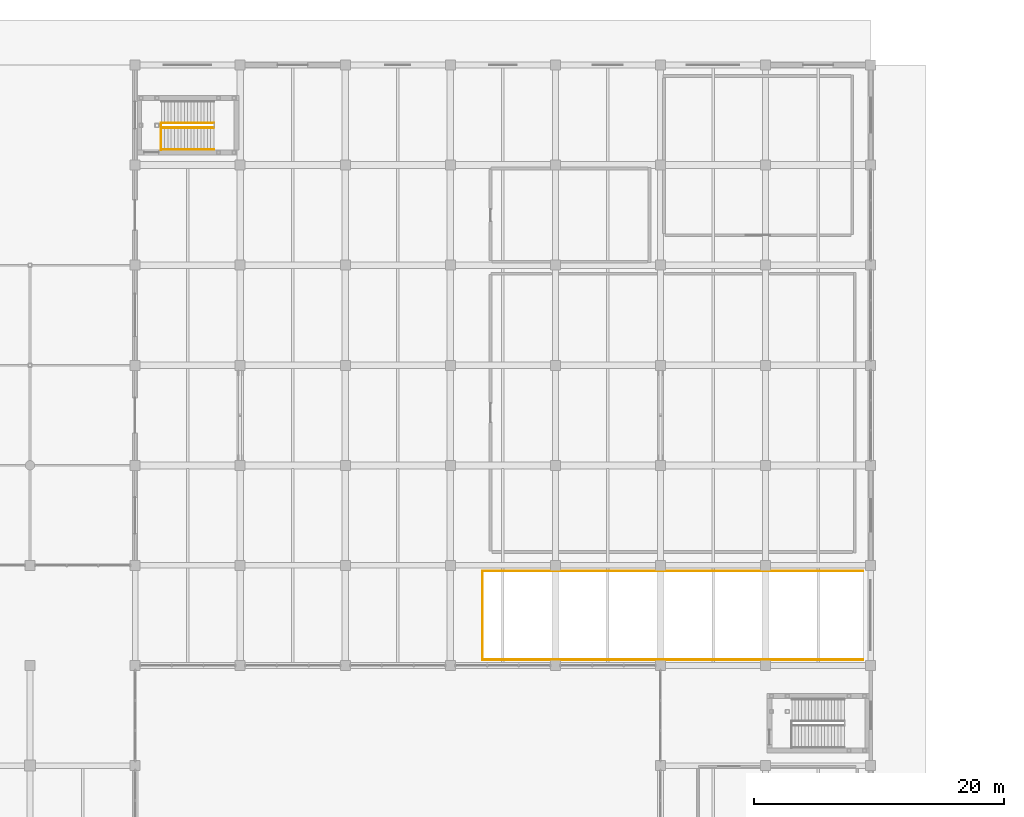
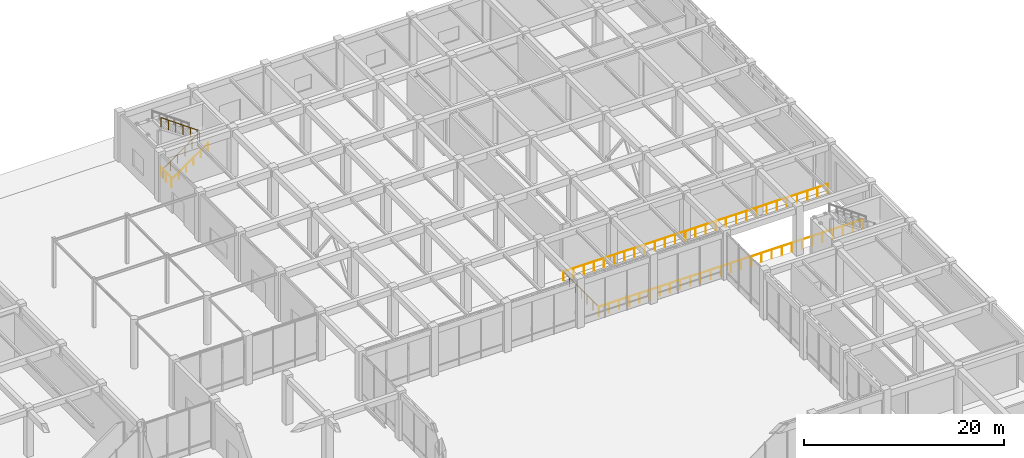
# One storey, part 73 of 76: 7 railings.
"""IFC4 building model written with IfcOpenShell, lengths in metres."""

from ifc_helpers import new_model, si_unit, direction, frame, origin, origin_2d, place, context, subcontext, project, spatial, circle, extrude, material, layer, layer_set, type_object, element, save


model = new_model("IFC4")

# Units and contexts
model_context = context("Model", 3, precision=1e-05, world=origin(), true_north=direction((0.0, 1.0)))
body_context = subcontext(model_context, "Body", "Model", "MODEL_VIEW")
ifc_project = project(units=[si_unit("LENGTHUNIT", "METRE"), si_unit("AREAUNIT", "SQUARE_METRE"), si_unit("VOLUMEUNIT", "CUBIC_METRE"), si_unit("PLANEANGLEUNIT", "RADIAN"), si_unit("MASSUNIT", "GRAM", prefix="KILO")], contexts=[model_context])

# Site, building, storey
site_placement = place(None, origin())
site = spatial("IfcSite", under=ifc_project, at=site_placement, CompositionType="ELEMENT")
building_placement = place(site_placement, origin())
building = spatial("IfcBuilding", under=site, at=building_placement, Name="Naruveol Harbour Congress Hotel", CompositionType="ELEMENT")
storey_placement = place(building_placement, origin())
storey = spatial("IfcBuildingStorey", under=building, at=storey_placement, Name="L00", CompositionType="ELEMENT", Elevation=0.0)

# Railings
ifc_material_1 = material(Name="Steel SN490", Category="steel")
ifc_layer_1 = layer(ifc_material_1, 0.050048828125)
ifc_layer_set_1 = layer_set([ifc_layer_1], Name="Steel SN490")
railing_type_1 = type_object("IfcRailingType", Name="GALVANISED STEEL DECK GUARDRAIL 1150", PredefinedType="GUARDRAIL", material=ifc_layer_set_1)
railing_1_placement = place(storey_placement, frame((125.39990234375, 64.4599609375, 0.0)))
element("IfcRailing", 1, at=railing_1_placement, inside=storey, type_object=railing_type_1, Name="Vehicle ramp opening guard #43", PredefinedType="GUARDRAIL", context=body_context, shape_type="SweptSolid", body=[
    extrude(circle(Radius=0.02392578125, at=origin_2d()), frame((0.0, 0.0, 1.1259765625), z_axis=(-1.0, 0.0, 0.0), x_axis=(0.0, -1.0, 0.0)), (0.0, 0.0, 1.0), 30.43994140625),
    extrude(circle(Radius=0.02099609375, at=origin_2d()), origin(), (0.0, 0.0, 1.0), 1.101806640625),
    extrude(circle(Radius=0.02099609375, at=origin_2d()), frame((-1.170654296875, 0.0, 0.0)), (0.0, 0.0, 1.0), 1.101806640625),
    extrude(circle(Radius=0.02099609375, at=origin_2d()), frame((-2.341552734375, 0.0, 0.0)), (0.0, 0.0, 1.0), 1.101806640625),
    extrude(circle(Radius=0.02099609375, at=origin_2d()), frame((-3.51220703125, 0.0, 0.0)), (0.0, 0.0, 1.0), 1.101806640625),
    extrude(circle(Radius=0.02099609375, at=origin_2d()), frame((-4.68310546875, 0.0, 0.0)), (0.0, 0.0, 1.0), 1.101806640625),
    extrude(circle(Radius=0.02099609375, at=origin_2d()), frame((-5.853759765625, 0.0, 0.0)), (0.0, 0.0, 1.0), 1.101806640625),
    extrude(circle(Radius=0.02099609375, at=origin_2d()), frame((-7.024658203125, 0.0, 0.0)), (0.0, 0.0, 1.0), 1.101806640625),
    extrude(circle(Radius=0.02099609375, at=origin_2d()), frame((-8.1953125, 0.0, 0.0)), (0.0, 0.0, 1.0), 1.101806640625),
    extrude(circle(Radius=0.02099609375, at=origin_2d()), frame((-9.3662109375, 0.0, 0.0)), (0.0, 0.0, 1.0), 1.101806640625),
    extrude(circle(Radius=0.02099609375, at=origin_2d()), frame((-10.536865234375, 0.0, 0.0)), (0.0, 0.0, 1.0), 1.101806640625),
    extrude(circle(Radius=0.02099609375, at=origin_2d()), frame((-11.707763671875, 0.0, 0.0)), (0.0, 0.0, 1.0), 1.101806640625),
    extrude(circle(Radius=0.02099609375, at=origin_2d()), frame((-12.87841796875, 0.0, 0.0)), (0.0, 0.0, 1.0), 1.101806640625),
    extrude(circle(Radius=0.02099609375, at=origin_2d()), frame((-14.04931640625, 0.0, 0.0)), (0.0, 0.0, 1.0), 1.101806640625),
    extrude(circle(Radius=0.02099609375, at=origin_2d()), frame((-15.219970703125, 0.0, 0.0)), (0.0, 0.0, 1.0), 1.101806640625),
    extrude(circle(Radius=0.02099609375, at=origin_2d()), frame((-16.390625, 0.0, 0.0)), (0.0, 0.0, 1.0), 1.101806640625),
    extrude(circle(Radius=0.02099609375, at=origin_2d()), frame((-17.5615234375, 0.0, 0.0)), (0.0, 0.0, 1.0), 1.101806640625),
    extrude(circle(Radius=0.02099609375, at=origin_2d()), frame((-18.732177734375, 0.0, 0.0)), (0.0, 0.0, 1.0), 1.101806640625),
    extrude(circle(Radius=0.02099609375, at=origin_2d()), frame((-19.903076171875, 0.0, 0.0)), (0.0, 0.0, 1.0), 1.101806640625),
    extrude(circle(Radius=0.02099609375, at=origin_2d()), frame((-21.07373046875, 0.0, 0.0)), (0.0, 0.0, 1.0), 1.101806640625),
    extrude(circle(Radius=0.02099609375, at=origin_2d()), frame((-22.24462890625, 0.0, 0.0)), (0.0, 0.0, 1.0), 1.101806640625),
    extrude(circle(Radius=0.02099609375, at=origin_2d()), frame((-23.415283203125, 0.0, 0.0)), (0.0, 0.0, 1.0), 1.101806640625),
    extrude(circle(Radius=0.02099609375, at=origin_2d()), frame((-24.586181640625, 0.0, 0.0)), (0.0, 0.0, 1.0), 1.101806640625),
    extrude(circle(Radius=0.02099609375, at=origin_2d()), frame((-25.7568359375, 0.0, 0.0)), (0.0, 0.0, 1.0), 1.101806640625),
    extrude(circle(Radius=0.02099609375, at=origin_2d()), frame((-26.927734375, 0.0, 0.0)), (0.0, 0.0, 1.0), 1.101806640625),
    extrude(circle(Radius=0.02099609375, at=origin_2d()), frame((-28.098388671875, 0.0, 0.0)), (0.0, 0.0, 1.0), 1.101806640625),
    extrude(circle(Radius=0.02099609375, at=origin_2d()), frame((-29.269287109375, 0.0, 0.0)), (0.0, 0.0, 1.0), 1.101806640625),
    extrude(circle(Radius=0.02099609375, at=origin_2d()), frame((-30.43994140625, 0.0, 0.0)), (0.0, 0.0, 1.0), 1.101806640625),
])
railing_2_placement = place(storey_placement, frame((94.9599609375, 64.4599609375, 0.0)))
element("IfcRailing", 2, at=railing_2_placement, inside=storey, type_object=railing_type_1, Name="Vehicle ramp opening guard #44", PredefinedType="GUARDRAIL", context=body_context, shape_type="SweptSolid", body=[
    extrude(circle(Radius=0.02392578125, at=origin_2d()), frame((0.0, 0.0, 1.1259765625), z_axis=(0.0, 1.0, 0.0), x_axis=(-1.0, 0.0, 0.0)), (0.0, 0.0, 1.0), 7.080078125),
    extrude(circle(Radius=0.02099609375, at=origin_2d()), origin(), (0.0, 0.0, 1.0), 1.101806640625),
    extrude(circle(Radius=0.02099609375, at=origin_2d()), frame((0.0, 1.179931640625, 0.0)), (0.0, 0.0, 1.0), 1.101806640625),
    extrude(circle(Radius=0.02099609375, at=origin_2d()), frame((0.0, 2.360107421875, 0.0)), (0.0, 0.0, 1.0), 1.101806640625),
    extrude(circle(Radius=0.02099609375, at=origin_2d()), frame((0.0, 3.5400390625, 0.0)), (0.0, 0.0, 1.0), 1.101806640625),
    extrude(circle(Radius=0.02099609375, at=origin_2d()), frame((0.0, 4.719970703125, 0.0)), (0.0, 0.0, 1.0), 1.101806640625),
    extrude(circle(Radius=0.02099609375, at=origin_2d()), frame((0.0, 5.900146484375, 0.0)), (0.0, 0.0, 1.0), 1.101806640625),
    extrude(circle(Radius=0.02099609375, at=origin_2d()), frame((0.0, 7.080078125, 0.0)), (0.0, 0.0, 1.0), 1.101806640625),
])
railing_3_placement = place(storey_placement, frame((94.9599609375, 71.5400390625, 0.0)))
element("IfcRailing", 3, at=railing_3_placement, inside=storey, type_object=railing_type_1, Name="Vehicle ramp opening guard #45", PredefinedType="GUARDRAIL", context=body_context, shape_type="SweptSolid", body=[
    extrude(circle(Radius=0.02392578125, at=origin_2d()), frame((0.0, 0.0, 1.1259765625), z_axis=(1.0, 0.0, 0.0), x_axis=(0.0, 1.0, 0.0)), (0.0, 0.0, 1.0), 30.43994140625),
    extrude(circle(Radius=0.02099609375, at=origin_2d()), origin(), (0.0, 0.0, 1.0), 1.101806640625),
    extrude(circle(Radius=0.02099609375, at=origin_2d()), frame((1.170654296875, 0.0, 0.0)), (0.0, 0.0, 1.0), 1.101806640625),
    extrude(circle(Radius=0.02099609375, at=origin_2d()), frame((2.341552734375, 0.0, 0.0)), (0.0, 0.0, 1.0), 1.101806640625),
    extrude(circle(Radius=0.02099609375, at=origin_2d()), frame((3.51220703125, 0.0, 0.0)), (0.0, 0.0, 1.0), 1.101806640625),
    extrude(circle(Radius=0.02099609375, at=origin_2d()), frame((4.68310546875, 0.0, 0.0)), (0.0, 0.0, 1.0), 1.101806640625),
    extrude(circle(Radius=0.02099609375, at=origin_2d()), frame((5.853759765625, 0.0, 0.0)), (0.0, 0.0, 1.0), 1.101806640625),
    extrude(circle(Radius=0.02099609375, at=origin_2d()), frame((7.024658203125, 0.0, 0.0)), (0.0, 0.0, 1.0), 1.101806640625),
    extrude(circle(Radius=0.02099609375, at=origin_2d()), frame((8.1953125, 0.0, 0.0)), (0.0, 0.0, 1.0), 1.101806640625),
    extrude(circle(Radius=0.02099609375, at=origin_2d()), frame((9.3662109375, 0.0, 0.0)), (0.0, 0.0, 1.0), 1.101806640625),
    extrude(circle(Radius=0.02099609375, at=origin_2d()), frame((10.536865234375, 0.0, 0.0)), (0.0, 0.0, 1.0), 1.101806640625),
    extrude(circle(Radius=0.02099609375, at=origin_2d()), frame((11.707763671875, 0.0, 0.0)), (0.0, 0.0, 1.0), 1.101806640625),
    extrude(circle(Radius=0.02099609375, at=origin_2d()), frame((12.87841796875, 0.0, 0.0)), (0.0, 0.0, 1.0), 1.101806640625),
    extrude(circle(Radius=0.02099609375, at=origin_2d()), frame((14.04931640625, 0.0, 0.0)), (0.0, 0.0, 1.0), 1.101806640625),
    extrude(circle(Radius=0.02099609375, at=origin_2d()), frame((15.219970703125, 0.0, 0.0)), (0.0, 0.0, 1.0), 1.101806640625),
    extrude(circle(Radius=0.02099609375, at=origin_2d()), frame((16.390625, 0.0, 0.0)), (0.0, 0.0, 1.0), 1.101806640625),
    extrude(circle(Radius=0.02099609375, at=origin_2d()), frame((17.5615234375, 0.0, 0.0)), (0.0, 0.0, 1.0), 1.101806640625),
    extrude(circle(Radius=0.02099609375, at=origin_2d()), frame((18.732177734375, 0.0, 0.0)), (0.0, 0.0, 1.0), 1.101806640625),
    extrude(circle(Radius=0.02099609375, at=origin_2d()), frame((19.903076171875, 0.0, 0.0)), (0.0, 0.0, 1.0), 1.101806640625),
    extrude(circle(Radius=0.02099609375, at=origin_2d()), frame((21.07373046875, 0.0, 0.0)), (0.0, 0.0, 1.0), 1.101806640625),
    extrude(circle(Radius=0.02099609375, at=origin_2d()), frame((22.24462890625, 0.0, 0.0)), (0.0, 0.0, 1.0), 1.101806640625),
    extrude(circle(Radius=0.02099609375, at=origin_2d()), frame((23.415283203125, 0.0, 0.0)), (0.0, 0.0, 1.0), 1.101806640625),
    extrude(circle(Radius=0.02099609375, at=origin_2d()), frame((24.586181640625, 0.0, 0.0)), (0.0, 0.0, 1.0), 1.101806640625),
    extrude(circle(Radius=0.02099609375, at=origin_2d()), frame((25.7568359375, 0.0, 0.0)), (0.0, 0.0, 1.0), 1.101806640625),
    extrude(circle(Radius=0.02099609375, at=origin_2d()), frame((26.927734375, 0.0, 0.0)), (0.0, 0.0, 1.0), 1.101806640625),
    extrude(circle(Radius=0.02099609375, at=origin_2d()), frame((28.098388671875, 0.0, 0.0)), (0.0, 0.0, 1.0), 1.101806640625),
    extrude(circle(Radius=0.02099609375, at=origin_2d()), frame((29.269287109375, 0.0, 0.0)), (0.0, 0.0, 1.0), 1.101806640625),
    extrude(circle(Radius=0.02099609375, at=origin_2d()), frame((30.43994140625, 0.0, 0.0)), (0.0, 0.0, 1.0), 1.101806640625),
])
ifc_material_2 = material(Name="Stainless Steel 304", Category="steel")
ifc_layer_2 = layer(ifc_material_2, 0.0419921875)
ifc_layer_set_2 = layer_set([ifc_layer_2], Name="Stainless Steel 304")
railing_type_2 = type_object("IfcRailingType", Name="STAIR WALL MOUNTED HANDRAIL 900", PredefinedType="HANDRAIL", material=ifc_layer_set_2)
railing_4_placement = place(storey_placement, frame((69.300048828125, 105.260009765625, 0.0)))
element("IfcRailing", 4, at=railing_4_placement, inside=storey, type_object=railing_type_2, Name="Stair ST8 L00 lower wall handrail", PredefinedType="HANDRAIL", context=body_context, shape_type="SweptSolid", body=[
    extrude(circle(Radius=0.02392578125, at=origin_2d()), frame((0.0, 0.0, 0.8759765625), z_axis=(0.813730275137, 0.0, 0.581242668191), x_axis=(0.0, 1.0, 0.0)), (0.0, 0.0, 1.0), 5.161376953125),
    extrude(circle(Radius=0.02099609375, at=origin_2d()), origin(), (0.0, 0.0, 1.0), 0.851806640625),
    extrude(circle(Radius=0.02099609375, at=origin_2d()), frame((0.840087890625, 0.0, 0.60009765625)), (0.0, 0.0, 1.0), 0.851806640625),
    extrude(circle(Radius=0.02099609375, at=origin_2d()), frame((1.679931640625, 0.0, 1.199951171875)), (0.0, 0.0, 1.0), 0.851806640625),
    extrude(circle(Radius=0.02099609375, at=origin_2d()), frame((2.52001953125, 0.0, 1.800048828125)), (0.0, 0.0, 1.0), 0.851806640625),
    extrude(circle(Radius=0.02099609375, at=origin_2d()), frame((3.35986328125, 0.0, 2.39990234375)), (0.0, 0.0, 1.0), 0.851806640625),
    extrude(circle(Radius=0.02099609375, at=origin_2d()), frame((4.199951171875, 0.0, 3.0)), (0.0, 0.0, 1.0), 0.851806640625),
])
ifc_material_3 = material(Name="Steel SN490", Category="steel")
ifc_layer_3 = layer(ifc_material_3, 0.044921875)
ifc_layer_set_3 = layer_set([ifc_layer_3], Name="Steel SN490")
railing_type_3 = type_object("IfcRailingType", Name="STAIRWELL STEEL GUARDRAIL 1150", PredefinedType="GUARDRAIL", material=ifc_layer_set_3)
railing_5_placement = place(storey_placement, frame((69.300048828125, 106.989990234375, 0.0)))
element("IfcRailing", 5, at=railing_5_placement, inside=storey, type_object=railing_type_3, Name="Stair ST8 L00 lower well guard", PredefinedType="GUARDRAIL", context=body_context, shape_type="SweptSolid", body=[
    extrude(circle(Radius=0.02392578125, at=origin_2d()), frame((0.0, 0.0, 1.1259765625), z_axis=(0.813730275137, 0.0, 0.581242668191), x_axis=(0.0, 1.0, 0.0)), (0.0, 0.0, 1.0), 5.161376953125),
    extrude(circle(Radius=0.02099609375, at=origin_2d()), origin(), (0.0, 0.0, 1.0), 1.101806640625),
    extrude(circle(Radius=0.02099609375, at=origin_2d()), frame((0.840087890625, 0.0, 0.60009765625)), (0.0, 0.0, 1.0), 1.101806640625),
    extrude(circle(Radius=0.02099609375, at=origin_2d()), frame((1.679931640625, 0.0, 1.199951171875)), (0.0, 0.0, 1.0), 1.101806640625),
    extrude(circle(Radius=0.02099609375, at=origin_2d()), frame((2.52001953125, 0.0, 1.800048828125)), (0.0, 0.0, 1.0), 1.101806640625),
    extrude(circle(Radius=0.02099609375, at=origin_2d()), frame((3.35986328125, 0.0, 2.39990234375)), (0.0, 0.0, 1.0), 1.101806640625),
    extrude(circle(Radius=0.02099609375, at=origin_2d()), frame((4.199951171875, 0.0, 3.0)), (0.0, 0.0, 1.0), 1.101806640625),
])
railing_6_placement = place(storey_placement, frame((73.5, 107.3701171875, 3.0)))
element("IfcRailing", 6, at=railing_6_placement, inside=storey, type_object=railing_type_3, Name="Stair ST8 L00 upper well guard", PredefinedType="GUARDRAIL", context=body_context, shape_type="SweptSolid", body=[
    extrude(circle(Radius=0.02392578125, at=origin_2d()), frame((0.0, 0.0, 1.1259765625), z_axis=(-0.813730275137, 0.0, 0.581242668191), x_axis=(0.0, -1.0, 0.0)), (0.0, 0.0, 1.0), 5.161376953125),
    extrude(circle(Radius=0.02099609375, at=origin_2d()), origin(), (0.0, 0.0, 1.0), 1.101806640625),
    extrude(circle(Radius=0.02099609375, at=origin_2d()), frame((-0.840087890625, 0.0, 0.60009765625)), (0.0, 0.0, 1.0), 1.101806640625),
    extrude(circle(Radius=0.02099609375, at=origin_2d()), frame((-1.679931640625, 0.0, 1.199951171875)), (0.0, 0.0, 1.0), 1.101806640625),
    extrude(circle(Radius=0.02099609375, at=origin_2d()), frame((-2.52001953125, 0.0, 1.800048828125)), (0.0, 0.0, 1.0), 1.101806640625),
    extrude(circle(Radius=0.02099609375, at=origin_2d()), frame((-3.35986328125, 0.0, 2.39990234375)), (0.0, 0.0, 1.0), 1.101806640625),
    extrude(circle(Radius=0.02099609375, at=origin_2d()), frame((-4.199951171875, 0.0, 3.0)), (0.0, 0.0, 1.0), 1.101806640625),
])
railing_7_placement = place(storey_placement, frame((69.260009765625, 105.219970703125, 0.0)))
element("IfcRailing", 7, at=railing_7_placement, inside=storey, type_object=railing_type_3, Name="Stair ST8 L00 landing well guard", PredefinedType="GUARDRAIL", context=body_context, shape_type="SweptSolid", body=[
    extrude(circle(Radius=0.02392578125, at=origin_2d()), frame((0.0, 0.0, 1.1259765625), z_axis=(0.0, 1.0, 0.0), x_axis=(-1.0, 0.0, 0.0)), (0.0, 0.0, 1.0), 2.150146484375),
    extrude(circle(Radius=0.02099609375, at=origin_2d()), origin(), (0.0, 0.0, 1.0), 1.101806640625),
    extrude(circle(Radius=0.02099609375, at=origin_2d()), frame((0.0, 1.0751953125, 0.0)), (0.0, 0.0, 1.0), 1.101806640625),
    extrude(circle(Radius=0.02099609375, at=origin_2d()), frame((0.0, 2.150146484375, 0.0)), (0.0, 0.0, 1.0), 1.101806640625),
])

save(model, "model.ifc")
